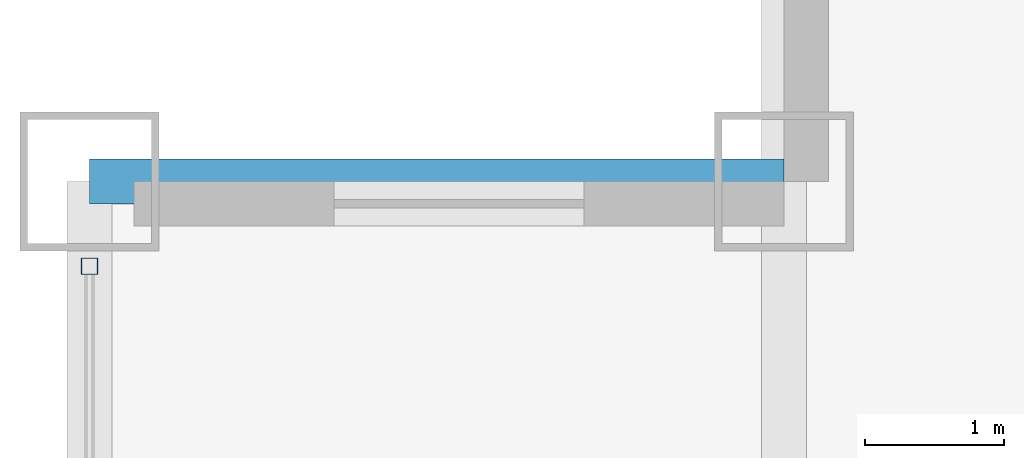
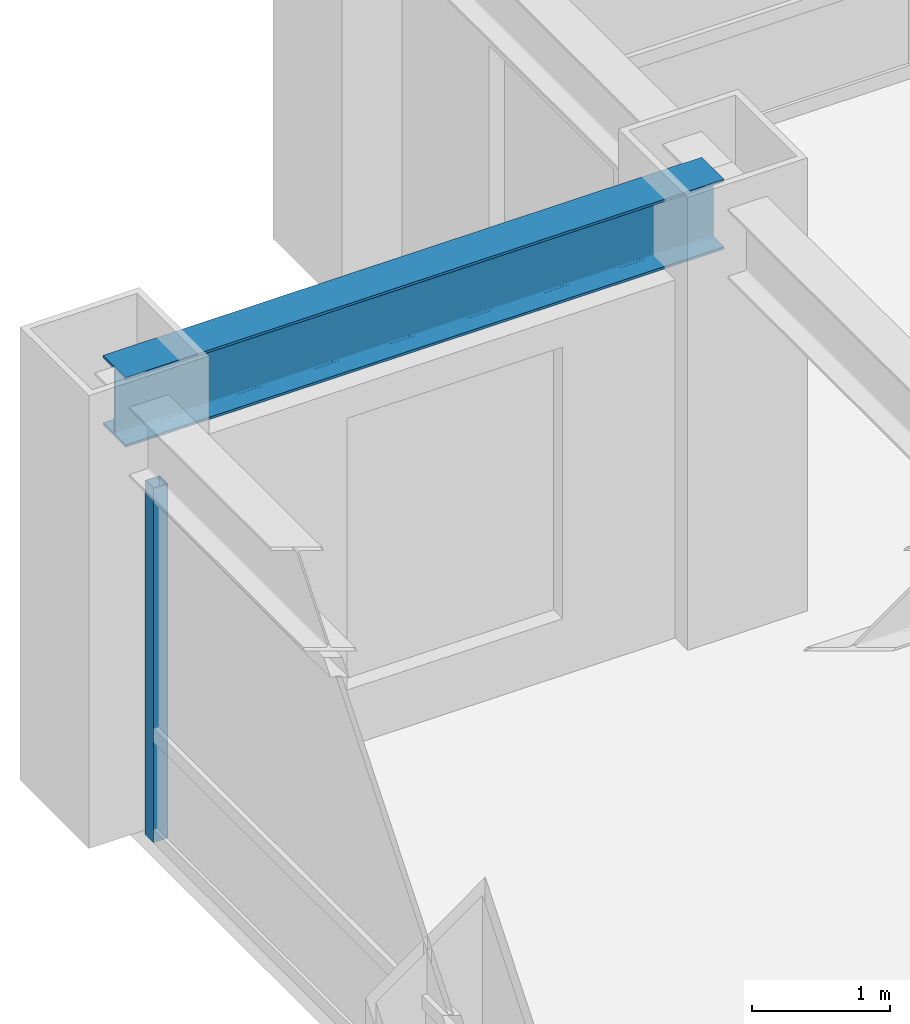
# One storey, part 12 of 24: 1 beam, 1 member, 1 element without a shape of its own.
"""IFC4 building model written with IfcOpenShell, lengths in metres."""

from ifc_helpers import new_model, si_unit, direction, frame, origin, origin_2d, place, context, subcontext, project, spatial, hollow_rectangle, i_section, extrude, source, transform, mapped, material, material_profile, profile_set, type_object, element, aggregate, save


model = new_model("IFC4")

# Units and contexts
model_context = context("Model", 3, precision=1e-05, world=origin(), true_north=direction((0.0, 1.0)))
body_context = subcontext(model_context, "Body", "Model", "MODEL_VIEW")
ifc_project = project(units=[si_unit("LENGTHUNIT", "METRE"), si_unit("AREAUNIT", "SQUARE_METRE"), si_unit("VOLUMEUNIT", "CUBIC_METRE"), si_unit("PLANEANGLEUNIT", "RADIAN"), si_unit("MASSUNIT", "GRAM", prefix="KILO")], contexts=[model_context])

# Site, building, storey
site_placement = place(None, origin())
site = spatial("IfcSite", under=ifc_project, at=site_placement, CompositionType="ELEMENT")
building_placement = place(site_placement, origin())
building = spatial("IfcBuilding", under=site, at=building_placement, Name="Khorayat Bourse Tower", CompositionType="ELEMENT")
storey_placement = place(building_placement, frame((0.0, 0.0, 219.10009765625)))
storey = spatial("IfcBuildingStorey", under=building, at=storey_placement, Name="L51", CompositionType="ELEMENT", Elevation=219.10009765625)

# Beam
ifc_material_1 = material(Name="Steel ASTM A992 Grade 50", Category="steel")
ifc_material_profile_1 = material_profile(ifc_material_1, i_section(OverallWidth=0.324951171875, OverallDepth=0.615966796875, WebThickness=0.013916015625, FlangeThickness=0.021484375, FilletRadius=0.01611328125, at=origin_2d()), Name="W610X174")
ifc_profile_set_1 = profile_set([ifc_material_profile_1], Name="Steel ASTM A992 Grade 50")
beam_type = type_object("IfcBeamType", Name="BM-SPAN-610", PredefinedType="SPANDREL", material=ifc_profile_set_1)
shared_shape_1 = source(origin(), body_context, "Body", "SweptSolid", [
    extrude(i_section(OverallWidth=0.324951171875, OverallDepth=0.615966796875, WebThickness=0.013916015625, FlangeThickness=0.021484375, FilletRadius=0.01611328125, at=origin_2d()), origin(), (0.0, 0.0, 1.0), 5.0),
])
beam_placement = place(storey_placement, frame((-30.0, 25.0, 3.471923828125), z_axis=(1.0, 0.0, 0.0), x_axis=(0.0, 1.0, 0.0)))
element("IfcBeam", 1, at=beam_placement, inside=storey, type_object=beam_type, Name="L51 BM-SPAN-610 BM-L51-SPN-053", PredefinedType="SPANDREL", context=body_context, shape_type="MappedRepresentation", body=[
    mapped(shared_shape_1, transform((0.0, 0.0, 0.0), scale=1.0)),
])

# Curtain wall, member
ifc_material_2 = material(Name="Aluminium EN AW-6063 T6", Category="aluminium")
curtain_wall_type = type_object("IfcCurtainWallType", Name="CW-SYS-03", PredefinedType="NOTDEFINED", material=ifc_material_2)
curtain_wall_placement = place(storey_placement, origin())
curtain_wall = element("IfcCurtainWall", 2, at=curtain_wall_placement, inside=storey, type_object=curtain_wall_type, Name="L51 Curtain Wall CW-L51-W1", PredefinedType="NOTDEFINED")
ifc_material_profile_2 = material_profile(ifc_material_2, hollow_rectangle(XDim=0.1201171875, YDim=0.1201171875, WallThickness=0.0048828125, at=origin_2d()), Name="ALU 120x120x5")
ifc_profile_set_2 = profile_set([ifc_material_profile_2], Name="Aluminium EN AW-6063 T6")
member_type = type_object("IfcMemberType", Name="CWM-VERT-120", PredefinedType="MULLION", material=ifc_profile_set_2)
shared_shape_2 = source(origin(), body_context, "Body", "SweptSolid", [
    extrude(hollow_rectangle(XDim=0.1201171875, YDim=0.1201171875, WallThickness=0.0048828125, at=origin_2d()), origin(), (0.0, 0.0, 1.0), 3.1298828125),
])
member_placement = place(storey_placement, frame((-30.0, 24.389892578125, 0.0), z_axis=(0.0, 0.0, 1.0), x_axis=(-1.0, 0.0, 0.0)))
member = element("IfcMember", 3, at=member_placement, type_object=member_type, Name="CW-L51-W1 Vertical Mullion 3", PredefinedType="MULLION", context=body_context, shape_type="MappedRepresentation", body=[
    mapped(shared_shape_2, transform((0.0, 0.0, 0.0), scale=1.0)),
])
aggregate(curtain_wall, [member])

save(model, "model.ifc")
